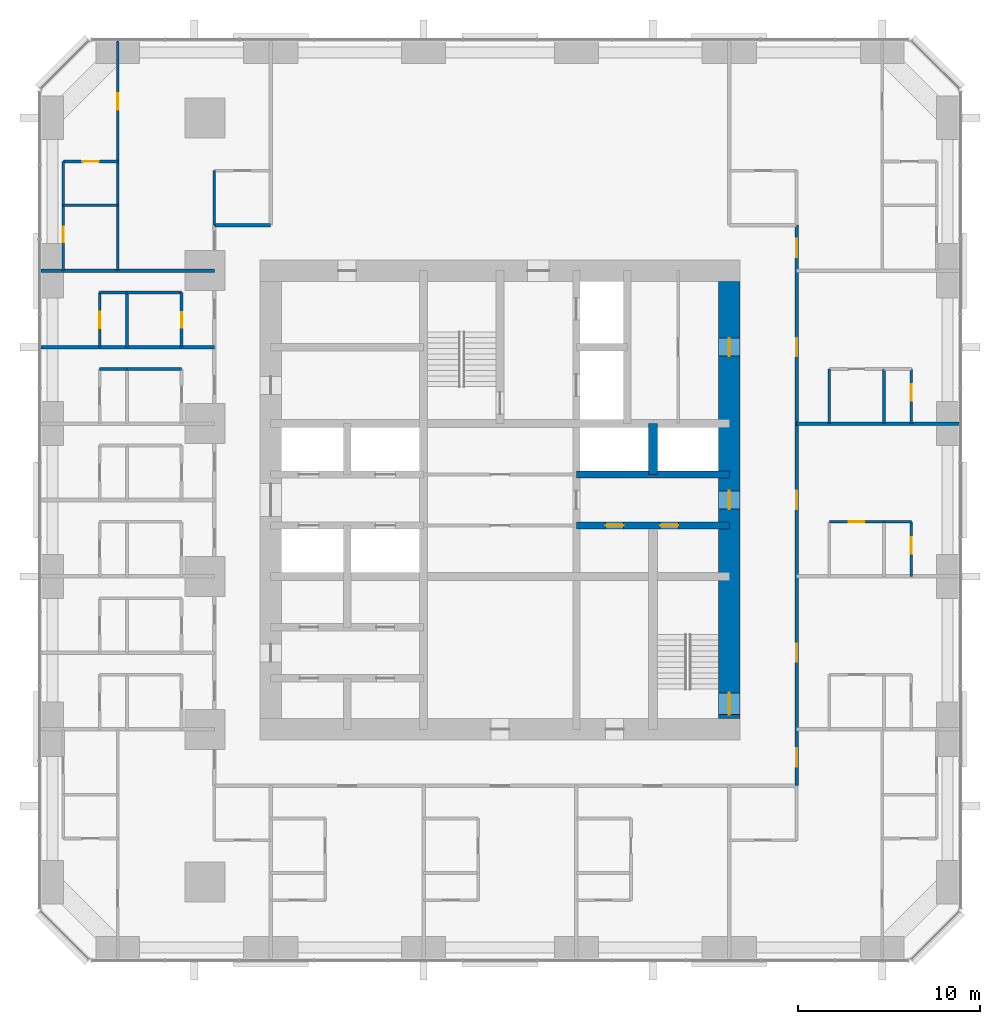
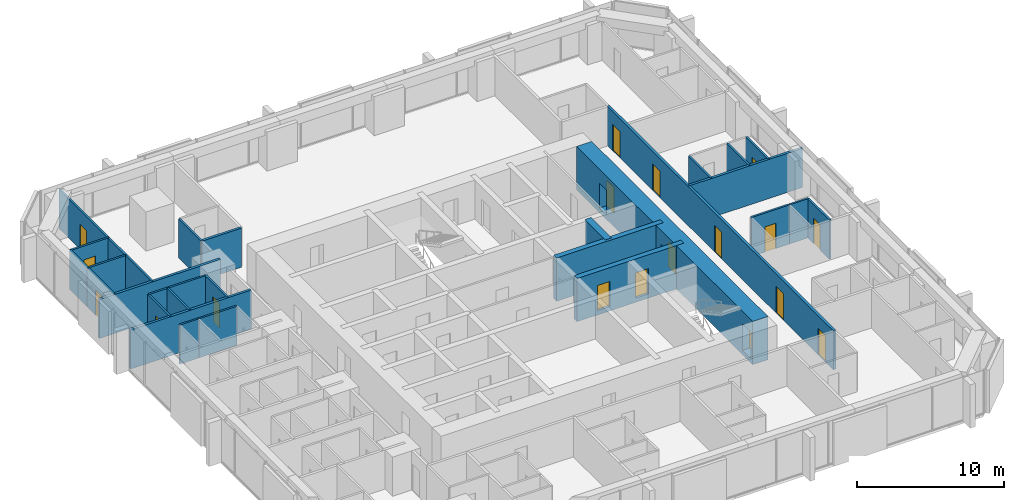
# One storey, part 11 of 13: 28 walls, 18 doors, 18 openings.
"""IFC4 building model written with IfcOpenShell, lengths in metres."""

from ifc_helpers import new_model, si_unit, direction, frame, frame_2d, origin, place, context, subcontext, project, spatial, rectangle, extrude, material, layer, layer_set, type_object, element, fill, save


model = new_model("IFC4")

# Units and contexts
model_context = context("Model", 3, precision=1e-05, world=origin(), true_north=direction((0.0, 1.0)))
body_context = subcontext(model_context, "Body", "Model", "MODEL_VIEW")
ifc_project = project(units=[si_unit("LENGTHUNIT", "METRE"), si_unit("AREAUNIT", "SQUARE_METRE"), si_unit("VOLUMEUNIT", "CUBIC_METRE"), si_unit("PLANEANGLEUNIT", "RADIAN"), si_unit("MASSUNIT", "GRAM", prefix="KILO")], contexts=[model_context])

# Site, building, storey
site_placement = place(None, origin())
site = spatial("IfcSite", under=ifc_project, at=site_placement, CompositionType="ELEMENT")
building_placement = place(site_placement, origin())
building = spatial("IfcBuilding", under=site, at=building_placement, Name="Dunama Terrace Hotel", CompositionType="ELEMENT")
storey_placement = place(building_placement, frame((0.0, 0.0, 162.60009765625)))
storey = spatial("IfcBuildingStorey", under=building, at=storey_placement, Name="L41", CompositionType="ELEMENT", Elevation=162.60009765625)

# Wall, opening, door
ifc_material_1 = material(Name="Gypsum board partition", Category="masonry")
ifc_layer_1 = layer(ifc_material_1, 0.14990234375)
ifc_layer_set_1 = layer_set([ifc_layer_1], Name="Bathroom partition 150")
wall_type_1 = type_object("IfcWallType", Name="Bathroom partition 150", PredefinedType="PARTITIONING", material=ifc_layer_set_1)
wall_1_placement = place(storey_placement, frame((5.39990234375, 42.0, 0.0), z_axis=(0.0, 0.0, 1.0), x_axis=(0.0, 1.0, 0.0)))
wall_1 = element("IfcWall", 1, at=wall_1_placement, inside=storey, type_object=wall_type_1, Name="Bathroom partition 150 L41", PredefinedType="PARTITIONING", context=body_context, shape_type="SweptSolid", body=[
    extrude(rectangle(XDim=3.60009765625, YDim=0.14990234375, at=frame_2d((1.800048828125, 0.0))), origin(), (0.0, 0.0, 1.0), 3.25),
])
opening_1_placement = place(wall_1_placement, frame((1.574951171875, 0.0, 0.0)))
opening_1 = element("IfcOpeningElement", 2, at=opening_1_placement, cuts=wall_1, Name="Opening L41-063", PredefinedType="OPENING", context=body_context, shape_type="SweptSolid", body=[
    extrude(rectangle(XDim=0.85009765625, YDim=2.10009765625, at=frame_2d((0.425048828125, 1.050048828125))), frame((0.0, 0.0849609375, 0.0), z_axis=(0.0, -1.0, 0.0), x_axis=(1.0, 0.0, 0.0)), (0.0, 0.0, 1.0), 0.169921875),
])
ifc_material_2 = material(Name="Timber door with steel frame", Category="steel")
door_type_1 = type_object("IfcDoorType", Name="Bathroom door 850", OperationType="SINGLE_SWING_LEFT", PredefinedType="DOOR", material=ifc_material_2)
door_1_placement = place(opening_1_placement, frame((0.85009765625, 0.0, 0.0), z_axis=(0.0, 0.0, 1.0), x_axis=(-1.0, 0.0, 0.0)))
door_1 = element("IfcDoor", 3, at=door_1_placement, inside=storey, type_object=door_type_1, Name="Door to en-suite bathroom L41-063, type D2", OperationType="SINGLE_SWING_RIGHT", OverallHeight=2.10009765625, OverallWidth=0.85009765625, PredefinedType="DOOR", context=body_context, shape_type="SweptSolid", body=[
    extrude(rectangle(XDim=0.85009765625, YDim=2.10009765625, at=frame_2d((0.425048828125, 1.050048828125))), frame((0.0, 0.025146484375, 0.0), z_axis=(0.0, -1.0, 0.0), x_axis=(1.0, 0.0, 0.0)), (0.0, 0.0, 1.0), 0.050048828125),
])
fill(opening_1, door_1)

wall_2_placement = place(storey_placement, frame((11.89990234375, 37.800048828125, 0.0), z_axis=(0.0, 0.0, 1.0), x_axis=(0.0, 1.0, 0.0)))
wall_2 = element("IfcWall", 4, at=wall_2_placement, inside=storey, type_object=wall_type_1, Name="Bathroom partition 150 L41", PredefinedType="PARTITIONING", context=body_context, shape_type="SweptSolid", body=[
    extrude(rectangle(XDim=3.0, YDim=0.14990234375, at=frame_2d((1.5, 0.0))), origin(), (0.0, 0.0, 1.0), 3.25),
])
opening_2_placement = place(wall_2_placement, frame((1.074951171875, 0.0, 0.0)))
opening_2 = element("IfcOpeningElement", 5, at=opening_2_placement, cuts=wall_2, Name="Opening L41-043", PredefinedType="OPENING", context=body_context, shape_type="SweptSolid", body=[
    extrude(rectangle(XDim=0.85009765625, YDim=2.10009765625, at=frame_2d((0.425048828125, 1.050048828125))), frame((0.0, 0.0849609375, 0.0), z_axis=(0.0, -1.0, 0.0), x_axis=(1.0, 0.0, 0.0)), (0.0, 0.0, 1.0), 0.169921875),
])
door_2_placement = place(opening_2_placement, origin())
door_2 = element("IfcDoor", 6, at=door_2_placement, inside=storey, type_object=door_type_1, Name="Door to en-suite bathroom L41-043, type D2", OperationType="SINGLE_SWING_LEFT", OverallHeight=2.10009765625, OverallWidth=0.85009765625, PredefinedType="DOOR", context=body_context, shape_type="SweptSolid", body=[
    extrude(rectangle(XDim=0.85009765625, YDim=2.10009765625, at=frame_2d((0.425048828125, 1.050048828125))), frame((0.0, 0.02490234375, 0.0), z_axis=(0.0, -1.0, 0.0), x_axis=(1.0, 0.0, 0.0)), (0.0, 0.0, 1.0), 0.050048828125),
])
fill(opening_2, door_2)

# Walls
for number, where, z_axis, x_axis, name in (
    (7, (13.699951171875, 44.5, 0.0), (0.0, 0.0, 1.0), (0.0, 1.0, 0.0), "Bathroom partition 150 L41"),
    (8, (47.5, 33.60009765625, 0.0), (0.0, 0.0, 1.0), (0.0, 1.0, 0.0), "Bathroom partition 150 L41"),
):
    element("IfcWall", number, at=place(storey_placement, frame(where, z_axis=z_axis, x_axis=x_axis)), inside=storey, type_object=wall_type_1, Name=name, PredefinedType="PARTITIONING", context=body_context, shape_type="SweptSolid", body=[
        extrude(rectangle(XDim=3.0, YDim=0.14990234375, at=frame_2d((1.5, 0.0))), origin(), (0.0, 0.0, 1.0), 3.25),
    ])

# Wall, opening, door
wall_3_placement = place(storey_placement, frame((47.5, 28.199951171875, 0.0), z_axis=(0.0, 0.0, 1.0), x_axis=(1.0, 0.0, 0.0)))
wall_3 = element("IfcWall", 9, at=wall_3_placement, inside=storey, type_object=wall_type_1, Name="Bathroom partition 150 L41", PredefinedType="PARTITIONING", context=body_context, shape_type="SweptSolid", body=[
    extrude(rectangle(XDim=3.0, YDim=0.14990234375, at=frame_2d((1.5, 0.0))), origin(), (0.0, 0.0, 1.0), 3.25),
])
opening_3_placement = place(wall_3_placement, frame((1.074951171875, 0.0, 0.0)))
opening_3 = element("IfcOpeningElement", 10, at=opening_3_placement, cuts=wall_3, Name="Opening L41-022", PredefinedType="OPENING", context=body_context, shape_type="SweptSolid", body=[
    extrude(rectangle(XDim=0.85009765625, YDim=2.10009765625, at=frame_2d((0.425048828125, 1.050048828125))), frame((0.0, 0.0849609375, 0.0), z_axis=(0.0, -1.0, 0.0), x_axis=(1.0, 0.0, 0.0)), (0.0, 0.0, 1.0), 0.169921875),
])
door_3_placement = place(opening_3_placement, frame((0.85009765625, 0.0, 0.0), z_axis=(0.0, 0.0, 1.0), x_axis=(-1.0, 0.0, 0.0)))
door_3 = element("IfcDoor", 11, at=door_3_placement, inside=storey, type_object=door_type_1, Name="Door to en-suite bathroom L41-022, type D2", OperationType="SINGLE_SWING_LEFT", OverallHeight=2.10009765625, OverallWidth=0.85009765625, PredefinedType="DOOR", context=body_context, shape_type="SweptSolid", body=[
    extrude(rectangle(XDim=0.85009765625, YDim=2.10009765625, at=frame_2d((0.425048828125, 1.050048828125))), frame((0.0, 0.025146484375, 0.0), z_axis=(0.0, -1.0, 0.0), x_axis=(1.0, 0.0, 0.0)), (0.0, 0.0, 1.0), 0.050048828125),
])
fill(opening_3, door_3)

# Walls
for number, where, z_axis, x_axis, name in (
    (12, (8.89990234375, 36.60009765625, 0.0), (0.0, 0.0, 1.0), (1.0, 0.0, 0.0), "Bathroom partition 150 L41"),
    (13, (8.89990234375, 40.800048828125, 0.0), (0.0, 0.0, 1.0), (1.0, 0.0, 0.0), "Bathroom partition 150 L41"),
):
    element("IfcWall", number, at=place(storey_placement, frame(where, z_axis=z_axis, x_axis=x_axis)), inside=storey, type_object=wall_type_1, Name=name, PredefinedType="PARTITIONING", context=body_context, shape_type="SweptSolid", body=[
        extrude(rectangle(XDim=3.0, YDim=0.14990234375, at=frame_2d((1.5, 0.0))), origin(), (0.0, 0.0, 1.0), 3.25),
    ])

# Wall, openings, doors
ifc_material_3 = material(Name="Concrete C50/60", Category="concrete")
ifc_layer_2 = layer(ifc_material_3, 0.39990234375)
ifc_layer_set_2 = layer_set([ifc_layer_2], Name="Core inner wall 400")
wall_type_2 = type_object("IfcWallType", Name="Core inner wall 400", PredefinedType="SHEAR", material=ifc_layer_set_2)
wall_4_placement = place(storey_placement, frame((33.60009765625, 28.0, -0.35009765625), z_axis=(0.0, 0.0, 1.0), x_axis=(1.0, 0.0, 0.0)))
wall_4 = element("IfcWall", 14, at=wall_4_placement, inside=storey, type_object=wall_type_2, Name="Core inner wall 400 L41", PredefinedType="SHEAR", context=body_context, shape_type="SweptSolid", body=[
    extrude(rectangle(XDim=8.39990234375, YDim=0.39990234375, at=frame_2d((4.199951171875, 0.0))), origin(), (0.0, 0.0, 1.0), 3.60009765625),
])
opening_4_placement = place(wall_4_placement, frame((1.60009765625, 0.0, 0.35009765625)))
opening_4 = element("IfcOpeningElement", 15, at=opening_4_placement, cuts=wall_4, Name="Opening L41-076", PredefinedType="OPENING", context=body_context, shape_type="SweptSolid", body=[
    extrude(rectangle(XDim=1.0, YDim=2.10009765625, at=frame_2d((0.5, 1.050048828125))), frame((0.0, 0.2099609375, 0.0), z_axis=(0.0, -1.0, 0.0), x_axis=(1.0, 0.0, 0.0)), (0.0, 0.0, 1.0), 0.419921875),
])
opening_5_placement = place(wall_4_placement, frame((4.60009765625, 0.0, 0.35009765625)))
opening_5 = element("IfcOpeningElement", 16, at=opening_5_placement, cuts=wall_4, Name="Opening L41-077", PredefinedType="OPENING", context=body_context, shape_type="SweptSolid", body=[
    extrude(rectangle(XDim=1.0, YDim=2.10009765625, at=frame_2d((0.5, 1.050048828125))), frame((0.0, 0.2099609375, 0.0), z_axis=(0.0, -1.0, 0.0), x_axis=(1.0, 0.0, 0.0)), (0.0, 0.0, 1.0), 0.419921875),
])
ifc_material_4 = material(Name="Timber door with steel frame", Category="steel")
door_type_2 = type_object("IfcDoorType", Name="Service door 1000", OperationType="SINGLE_SWING_LEFT", PredefinedType="DOOR", material=ifc_material_4)
door_4_placement = place(opening_4_placement, frame((1.0, 0.0, 0.0), z_axis=(0.0, 0.0, 1.0), x_axis=(-1.0, 0.0, 0.0)))
door_4 = element("IfcDoor", 17, at=door_4_placement, inside=storey, type_object=door_type_2, Name="Door to service riser L41-076, type D7", OperationType="SINGLE_SWING_LEFT", OverallHeight=2.10009765625, OverallWidth=1.0, PredefinedType="DOOR", context=body_context, shape_type="SweptSolid", body=[
    extrude(rectangle(XDim=1.0, YDim=2.10009765625, at=frame_2d((0.5, 1.050048828125))), frame((0.0, 0.025146484375, 0.0), z_axis=(0.0, -1.0, 0.0), x_axis=(1.0, 0.0, 0.0)), (0.0, 0.0, 1.0), 0.050048828125),
])
fill(opening_4, door_4)
door_5_placement = place(opening_5_placement, frame((1.0, 0.0, 0.0), z_axis=(0.0, 0.0, 1.0), x_axis=(-1.0, 0.0, 0.0)))
door_5 = element("IfcDoor", 18, at=door_5_placement, inside=storey, type_object=door_type_2, Name="Door to it room L41-077, type D7", OperationType="SINGLE_SWING_RIGHT", OverallHeight=2.10009765625, OverallWidth=1.0, PredefinedType="DOOR", context=body_context, shape_type="SweptSolid", body=[
    extrude(rectangle(XDim=1.0, YDim=2.10009765625, at=frame_2d((0.5, 1.050048828125))), frame((0.0, 0.025146484375, 0.0), z_axis=(0.0, -1.0, 0.0), x_axis=(1.0, 0.0, 0.0)), (0.0, 0.0, 1.0), 0.050048828125),
])
fill(opening_5, door_5)

# Walls
wall_5_placement = place(storey_placement, frame((33.60009765625, 30.800048828125, -0.35009765625), z_axis=(0.0, 0.0, 1.0), x_axis=(1.0, 0.0, 0.0)))
element("IfcWall", 19, at=wall_5_placement, inside=storey, type_object=wall_type_2, Name="Core inner wall 400 L41", PredefinedType="SHEAR", context=body_context, shape_type="SweptSolid", body=[
    extrude(rectangle(XDim=8.39990234375, YDim=0.39990234375, at=frame_2d((4.199951171875, 0.0))), origin(), (0.0, 0.0, 1.0), 3.60009765625),
])
ifc_material_5 = material(Name="Concrete C50/60", Category="concrete")
ifc_layer_3 = layer(ifc_material_5, 0.5)
ifc_layer_set_3 = layer_set([ifc_layer_3], Name="Core inner wall 500")
wall_type_3 = type_object("IfcWallType", Name="Core inner wall 500", PredefinedType="SHEAR", material=ifc_layer_set_3)
wall_6_placement = place(storey_placement, frame((37.800048828125, 30.800048828125, -0.35009765625), z_axis=(0.0, 0.0, 1.0), x_axis=(0.0, 1.0, 0.0)))
element("IfcWall", 20, at=wall_6_placement, inside=storey, type_object=wall_type_3, Name="Core inner wall 500 L41", PredefinedType="SHEAR", context=body_context, shape_type="SweptSolid", body=[
    extrude(rectangle(XDim=2.800048828125, YDim=0.5, at=frame_2d((1.39990234375, 0.0))), origin(), (0.0, 0.0, 1.0), 3.60009765625),
])

# Wall, openings, doors
ifc_material_6 = material(Name="Concrete C60/75", Category="concrete")
ifc_layer_4 = layer(ifc_material_6, 1.199951171875)
ifc_layer_set_4 = layer_set([ifc_layer_4], Name="Core wall 1200")
wall_type_4 = type_object("IfcWallType", Name="Core wall 1200", PredefinedType="SHEAR", material=ifc_layer_set_4)
wall_7_placement = place(storey_placement, frame((42.0, 17.39990234375, -0.35009765625), z_axis=(0.0, 0.0, 1.0), x_axis=(0.0, 1.0, 0.0)))
wall_7 = element("IfcWall", 21, at=wall_7_placement, inside=storey, type_object=wall_type_4, Name="Core wall east L41", PredefinedType="SHEAR", context=body_context, shape_type="SweptSolid", body=[
    extrude(rectangle(XDim=24.0, YDim=1.199951171875, at=frame_2d((12.0, 0.0))), origin(), (0.0, 0.0, 1.0), 3.60009765625),
])
opening_6_placement = place(wall_7_placement, frame((0.199951171875, 0.0, 0.35009765625)))
opening_6 = element("IfcOpeningElement", 22, at=opening_6_placement, cuts=wall_7, Name="Opening L41-002", PredefinedType="OPENING", context=body_context, shape_type="SweptSolid", body=[
    extrude(rectangle(XDim=1.199951171875, YDim=2.199951171875, at=frame_2d((0.60009765625, 1.10009765625))), frame((0.0, 0.60986328125, 0.0), z_axis=(0.0, -1.0, 0.0), x_axis=(1.0, 0.0, 0.0)), (0.0, 0.0, 1.0), 1.219970703125),
])
opening_7_placement = place(wall_7_placement, frame((11.5, 0.0, 0.35009765625)))
opening_7 = element("IfcOpeningElement", 23, at=opening_7_placement, cuts=wall_7, Name="Opening L41-078", PredefinedType="OPENING", context=body_context, shape_type="SweptSolid", body=[
    extrude(rectangle(XDim=1.0, YDim=2.10009765625, at=frame_2d((0.5, 1.050048828125))), frame((0.0, 0.60986328125, 0.0), z_axis=(0.0, -1.0, 0.0), x_axis=(1.0, 0.0, 0.0)), (0.0, 0.0, 1.0), 1.219970703125),
])
opening_8_placement = place(wall_7_placement, frame((19.89990234375, 0.0, 0.35009765625)))
opening_8 = element("IfcOpeningElement", 24, at=opening_8_placement, cuts=wall_7, Name="Opening L41-080", PredefinedType="OPENING", context=body_context, shape_type="SweptSolid", body=[
    extrude(rectangle(XDim=1.0, YDim=2.10009765625, at=frame_2d((0.5, 1.050048828125))), frame((0.0, 0.60986328125, 0.0), z_axis=(0.0, -1.0, 0.0), x_axis=(1.0, 0.0, 0.0)), (0.0, 0.0, 1.0), 1.219970703125),
])
door_6_placement = place(opening_7_placement, origin())
door_6 = element("IfcDoor", 25, at=door_6_placement, inside=storey, type_object=door_type_2, Name="Door to service lobby L41-078, type D7", OperationType="SINGLE_SWING_LEFT", OverallHeight=2.10009765625, OverallWidth=1.0, PredefinedType="DOOR", context=body_context, shape_type="SweptSolid", body=[
    extrude(rectangle(XDim=1.0, YDim=2.10009765625, at=frame_2d((0.5, 1.050048828125))), frame((0.0, 0.02490234375, 0.0), z_axis=(0.0, -1.0, 0.0), x_axis=(1.0, 0.0, 0.0)), (0.0, 0.0, 1.0), 0.050048828125),
])
fill(opening_7, door_6)
door_7_placement = place(opening_8_placement, origin())
door_7 = element("IfcDoor", 26, at=door_7_placement, inside=storey, type_object=door_type_2, Name="Door to guest pantry L41-080, type D7", OperationType="SINGLE_SWING_LEFT", OverallHeight=2.10009765625, OverallWidth=1.0, PredefinedType="DOOR", context=body_context, shape_type="SweptSolid", body=[
    extrude(rectangle(XDim=1.0, YDim=2.10009765625, at=frame_2d((0.5, 1.050048828125))), frame((0.0, 0.02490234375, 0.0), z_axis=(0.0, -1.0, 0.0), x_axis=(1.0, 0.0, 0.0)), (0.0, 0.0, 1.0), 0.050048828125),
])
fill(opening_8, door_7)
ifc_material_7 = material(Name="Timber door with steel frame", Category="steel")
door_type_3 = type_object("IfcDoorType", Name="Stair door 1200", OperationType="SINGLE_SWING_LEFT", PredefinedType="DOOR", material=ifc_material_7)
door_8_placement = place(opening_6_placement, origin())
door_8 = element("IfcDoor", 27, at=door_8_placement, inside=storey, type_object=door_type_3, Name="Stair door ST2 L41-002, type D5", OperationType="SINGLE_SWING_LEFT", OverallHeight=2.199951171875, OverallWidth=1.199951171875, PredefinedType="DOOR", context=body_context, shape_type="SweptSolid", body=[
    extrude(rectangle(XDim=1.199951171875, YDim=2.199951171875, at=frame_2d((0.60009765625, 1.10009765625))), frame((0.0, 0.02490234375, 0.0), z_axis=(0.0, -1.0, 0.0), x_axis=(1.0, 0.0, 0.0)), (0.0, 0.0, 1.0), 0.050048828125),
])
fill(opening_6, door_8)

# Wall
ifc_material_8 = material(Name="Concrete blockwork", Category="masonry")
ifc_layer_5 = layer(ifc_material_8, 0.199951171875)
ifc_layer_set_5 = layer_set([ifc_layer_5], Name="Corridor partition 200")
wall_type_5 = type_object("IfcWallType", Name="Corridor partition 200", PredefinedType="PARTITIONING", material=ifc_layer_set_5)
wall_8_placement = place(storey_placement, frame((13.699951171875, 44.5, 0.0), z_axis=(0.0, 0.0, 1.0), x_axis=(1.0, 0.0, 0.0)))
element("IfcWall", 28, at=wall_8_placement, inside=storey, type_object=wall_type_5, Name="Corridor partition 200 L41", PredefinedType="PARTITIONING", context=body_context, shape_type="SweptSolid", body=[
    extrude(rectangle(XDim=3.10009765625, YDim=0.199951171875, at=frame_2d((1.550048828125, 0.0))), origin(), (0.0, 0.0, 1.0), 3.25),
])

# Wall, openings, doors
wall_9_placement = place(storey_placement, frame((45.699951171875, 44.5, 0.0), z_axis=(0.0, 0.0, 1.0), x_axis=(0.0, -1.0, 0.0)))
wall_9 = element("IfcWall", 29, at=wall_9_placement, inside=storey, type_object=wall_type_5, Name="Corridor partition 200 L41", PredefinedType="PARTITIONING", context=body_context, shape_type="SweptSolid", body=[
    extrude(rectangle(XDim=30.800048828125, YDim=0.199951171875, at=frame_2d((15.39990234375, 0.0))), origin(), (0.0, 0.0, 1.0), 3.25),
])
opening_9_placement = place(wall_9_placement, frame((23.0, 0.0, 0.0)))
opening_9 = element("IfcOpeningElement", 30, at=opening_9_placement, cuts=wall_9, Name="Opening L41-018", PredefinedType="OPENING", context=body_context, shape_type="SweptSolid", body=[
    extrude(rectangle(XDim=1.0, YDim=2.199951171875, at=frame_2d((0.5, 1.10009765625))), frame((0.0, 0.10986328125, 0.0), z_axis=(0.0, -1.0, 0.0), x_axis=(1.0, 0.0, 0.0)), (0.0, 0.0, 1.0), 0.219970703125),
])
opening_10_placement = place(wall_9_placement, frame((14.60009765625, 0.0, 0.0)))
opening_10 = element("IfcOpeningElement", 31, at=opening_10_placement, cuts=wall_9, Name="Opening L41-021", PredefinedType="OPENING", context=body_context, shape_type="SweptSolid", body=[
    extrude(rectangle(XDim=1.0, YDim=2.199951171875, at=frame_2d((0.5, 1.10009765625))), frame((0.0, 0.10986328125, 0.0), z_axis=(0.0, -1.0, 0.0), x_axis=(1.0, 0.0, 0.0)), (0.0, 0.0, 1.0), 0.219970703125),
])
opening_11_placement = place(wall_9_placement, frame((6.199951171875, 0.0, 0.0)))
opening_11 = element("IfcOpeningElement", 32, at=opening_11_placement, cuts=wall_9, Name="Opening L41-024", PredefinedType="OPENING", context=body_context, shape_type="SweptSolid", body=[
    extrude(rectangle(XDim=1.0, YDim=2.199951171875, at=frame_2d((0.5, 1.10009765625))), frame((0.0, 0.10986328125, 0.0), z_axis=(0.0, -1.0, 0.0), x_axis=(1.0, 0.0, 0.0)), (0.0, 0.0, 1.0), 0.219970703125),
])
opening_12_placement = place(wall_9_placement, frame((28.75, 0.0, 0.0)))
opening_12 = element("IfcOpeningElement", 33, at=opening_12_placement, cuts=wall_9, Name="Opening L41-050", PredefinedType="OPENING", context=body_context, shape_type="SweptSolid", body=[
    extrude(rectangle(XDim=1.0, YDim=2.199951171875, at=frame_2d((0.5, 1.10009765625))), frame((0.0, 0.10986328125, 0.0), z_axis=(0.0, -1.0, 0.0), x_axis=(1.0, 0.0, 0.0)), (0.0, 0.0, 1.0), 0.219970703125),
])
opening_13_placement = place(wall_9_placement, frame((0.75, 0.0, 0.0)))
opening_13 = element("IfcOpeningElement", 34, at=opening_13_placement, cuts=wall_9, Name="Opening L41-055", PredefinedType="OPENING", context=body_context, shape_type="SweptSolid", body=[
    extrude(rectangle(XDim=1.0, YDim=2.199951171875, at=frame_2d((0.5, 1.10009765625))), frame((0.0, 0.10986328125, 0.0), z_axis=(0.0, -1.0, 0.0), x_axis=(1.0, 0.0, 0.0)), (0.0, 0.0, 1.0), 0.219970703125),
])
ifc_material_9 = material(Name="Timber door with steel frame", Category="steel")
door_type_4 = type_object("IfcDoorType", Name="Guest room door 1000", OperationType="SINGLE_SWING_LEFT", PredefinedType="DOOR", material=ifc_material_9)
door_9_placement = place(opening_9_placement, origin())
door_9 = element("IfcDoor", 35, at=door_9_placement, inside=storey, type_object=door_type_4, Name="Door to junior suite L41-018, type D1", OperationType="SINGLE_SWING_RIGHT", OverallHeight=2.199951171875, OverallWidth=1.0, PredefinedType="DOOR", context=body_context, shape_type="SweptSolid", body=[
    extrude(rectangle(XDim=1.0, YDim=2.199951171875, at=frame_2d((0.5, 1.10009765625))), frame((0.0, 0.02490234375, 0.0), z_axis=(0.0, -1.0, 0.0), x_axis=(1.0, 0.0, 0.0)), (0.0, 0.0, 1.0), 0.050048828125),
])
fill(opening_9, door_9)
door_10_placement = place(opening_10_placement, origin())
door_10 = element("IfcDoor", 36, at=door_10_placement, inside=storey, type_object=door_type_4, Name="Door to junior suite L41-021, type D1", OperationType="SINGLE_SWING_RIGHT", OverallHeight=2.199951171875, OverallWidth=1.0, PredefinedType="DOOR", context=body_context, shape_type="SweptSolid", body=[
    extrude(rectangle(XDim=1.0, YDim=2.199951171875, at=frame_2d((0.5, 1.10009765625))), frame((0.0, 0.02490234375, 0.0), z_axis=(0.0, -1.0, 0.0), x_axis=(1.0, 0.0, 0.0)), (0.0, 0.0, 1.0), 0.050048828125),
])
fill(opening_10, door_10)
door_11_placement = place(opening_11_placement, origin())
door_11 = element("IfcDoor", 37, at=door_11_placement, inside=storey, type_object=door_type_4, Name="Door to junior suite L41-024, type D1", OperationType="SINGLE_SWING_RIGHT", OverallHeight=2.199951171875, OverallWidth=1.0, PredefinedType="DOOR", context=body_context, shape_type="SweptSolid", body=[
    extrude(rectangle(XDim=1.0, YDim=2.199951171875, at=frame_2d((0.5, 1.10009765625))), frame((0.0, 0.02490234375, 0.0), z_axis=(0.0, -1.0, 0.0), x_axis=(1.0, 0.0, 0.0)), (0.0, 0.0, 1.0), 0.050048828125),
])
fill(opening_11, door_11)
door_12_placement = place(opening_12_placement, origin())
door_12 = element("IfcDoor", 38, at=door_12_placement, inside=storey, type_object=door_type_4, Name="Door to corner suite living room L41-050, type D1", OperationType="SINGLE_SWING_LEFT", OverallHeight=2.199951171875, OverallWidth=1.0, PredefinedType="DOOR", context=body_context, shape_type="SweptSolid", body=[
    extrude(rectangle(XDim=1.0, YDim=2.199951171875, at=frame_2d((0.5, 1.10009765625))), frame((0.0, 0.02490234375, 0.0), z_axis=(0.0, -1.0, 0.0), x_axis=(1.0, 0.0, 0.0)), (0.0, 0.0, 1.0), 0.050048828125),
])
fill(opening_12, door_12)
door_13_placement = place(opening_13_placement, origin())
door_13 = element("IfcDoor", 39, at=door_13_placement, inside=storey, type_object=door_type_4, Name="Door to corner suite living room L41-055, type D1", OperationType="SINGLE_SWING_LEFT", OverallHeight=2.199951171875, OverallWidth=1.0, PredefinedType="DOOR", context=body_context, shape_type="SweptSolid", body=[
    extrude(rectangle(XDim=1.0, YDim=2.199951171875, at=frame_2d((0.5, 1.10009765625))), frame((0.0, 0.02490234375, 0.0), z_axis=(0.0, -1.0, 0.0), x_axis=(1.0, 0.0, 0.0)), (0.0, 0.0, 1.0), 0.050048828125),
])
fill(opening_13, door_13)

# Walls
ifc_material_10 = material(Name="Concrete blockwork", Category="masonry")
ifc_layer_6 = layer(ifc_material_10, 0.199951171875)
ifc_layer_set_6 = layer_set([ifc_layer_6], Name="Party wall 200")
wall_type_6 = type_object("IfcWallType", Name="Party wall 200", PredefinedType="PARTITIONING", material=ifc_layer_set_6)
wall_10_placement = place(storey_placement, frame((45.699951171875, 33.60009765625, 0.0), z_axis=(0.0, 0.0, 1.0), x_axis=(1.0, 0.0, 0.0)))
element("IfcWall", 40, at=wall_10_placement, inside=storey, type_object=wall_type_6, Name="Party wall 200 L41", PredefinedType="PARTITIONING", context=body_context, shape_type="SweptSolid", body=[
    extrude(rectangle(XDim=8.91796875, YDim=0.199951171875, at=frame_2d((4.458984375, 0.0))), origin(), (0.0, 0.0, 1.0), 3.25),
])
for number, where, z_axis, x_axis, name in (
    (41, (4.181884765625, 37.800048828125, 0.0), (0.0, 0.0, 1.0), (1.0, 0.0, 0.0), "Party wall 200 L41"),
    (42, (4.181884765625, 42.0, 0.0), (0.0, 0.0, 1.0), (1.0, 0.0, 0.0), "Party wall 200 L41"),
):
    element("IfcWall", number, at=place(storey_placement, frame(where, z_axis=z_axis, x_axis=x_axis)), inside=storey, type_object=wall_type_6, Name=name, PredefinedType="PARTITIONING", context=body_context, shape_type="SweptSolid", body=[
        extrude(rectangle(XDim=9.51806640625, YDim=0.199951171875, at=frame_2d((4.759033203125, 0.0))), origin(), (0.0, 0.0, 1.0), 3.25),
    ])
ifc_material_11 = material(Name="Gypsum board partition", Category="masonry")
ifc_layer_7 = layer(ifc_material_11, 0.14990234375)
ifc_layer_set_7 = layer_set([ifc_layer_7], Name="Room partition 150")
wall_type_7 = type_object("IfcWallType", Name="Room partition 150", PredefinedType="PARTITIONING", material=ifc_layer_set_7)
wall_11_placement = place(storey_placement, frame((5.39990234375, 45.60009765625, 0.0), z_axis=(0.0, 0.0, 1.0), x_axis=(0.0, 1.0, 0.0)))
element("IfcWall", 43, at=wall_11_placement, inside=storey, type_object=wall_type_7, Name="Room partition 150 L41", PredefinedType="PARTITIONING", context=body_context, shape_type="SweptSolid", body=[
    extrude(rectangle(XDim=2.39990234375, YDim=0.14990234375, at=frame_2d((1.199951171875, 0.0))), origin(), (0.0, 0.0, 1.0), 3.25),
])

# Wall, opening, door
wall_12_placement = place(storey_placement, frame((7.39990234375, 37.800048828125, 0.0), z_axis=(0.0, 0.0, 1.0), x_axis=(0.0, 1.0, 0.0)))
wall_12 = element("IfcWall", 44, at=wall_12_placement, inside=storey, type_object=wall_type_7, Name="Room partition 150 L41", PredefinedType="PARTITIONING", context=body_context, shape_type="SweptSolid", body=[
    extrude(rectangle(XDim=3.0, YDim=0.14990234375, at=frame_2d((1.5, 0.0))), origin(), (0.0, 0.0, 1.0), 3.25),
])
opening_14_placement = place(wall_12_placement, frame((1.050048828125, 0.0, 0.0)))
opening_14 = element("IfcOpeningElement", 45, at=opening_14_placement, cuts=wall_12, Name="Opening L41-044", PredefinedType="OPENING", context=body_context, shape_type="SweptSolid", body=[
    extrude(rectangle(XDim=0.89990234375, YDim=2.10009765625, at=frame_2d((0.449951171875, 1.050048828125))), frame((0.0, 0.0849609375, 0.0), z_axis=(0.0, -1.0, 0.0), x_axis=(1.0, 0.0, 0.0)), (0.0, 0.0, 1.0), 0.169921875),
])
ifc_material_12 = material(Name="Timber door with steel frame", Category="steel")
door_type_5 = type_object("IfcDoorType", Name="Suite internal door 900", OperationType="SINGLE_SWING_LEFT", PredefinedType="DOOR", material=ifc_material_12)
door_14_placement = place(opening_14_placement, frame((0.89990234375, 0.0, 0.0), z_axis=(0.0, 0.0, 1.0), x_axis=(-1.0, 0.0, 0.0)))
door_14 = element("IfcDoor", 46, at=door_14_placement, inside=storey, type_object=door_type_5, Name="Door to walk-in wardrobe L41-044, type D16", OperationType="SINGLE_SWING_RIGHT", OverallHeight=2.10009765625, OverallWidth=0.89990234375, PredefinedType="DOOR", context=body_context, shape_type="SweptSolid", body=[
    extrude(rectangle(XDim=0.89990234375, YDim=2.10009765625, at=frame_2d((0.449951171875, 1.050048828125))), frame((0.0, 0.025146484375, 0.0), z_axis=(0.0, -1.0, 0.0), x_axis=(1.0, 0.0, 0.0)), (0.0, 0.0, 1.0), 0.050048828125),
])
fill(opening_14, door_14)

wall_13_placement = place(storey_placement, frame((8.39990234375, 42.0, 0.0), z_axis=(0.0, 0.0, 1.0), x_axis=(0.0, 1.0, 0.0)))
wall_13 = element("IfcWall", 47, at=wall_13_placement, inside=storey, type_object=wall_type_7, Name="Room partition 150 L41", PredefinedType="PARTITIONING", context=body_context, shape_type="SweptSolid", body=[
    extrude(rectangle(XDim=12.617919921875, YDim=0.14990234375, at=frame_2d((6.30908203125, 0.0))), origin(), (0.0, 0.0, 1.0), 3.25),
])
opening_15_placement = place(wall_13_placement, frame((8.85009765625, 0.0, 0.0)))
opening_15 = element("IfcOpeningElement", 48, at=opening_15_placement, cuts=wall_13, Name="Opening L41-062", PredefinedType="OPENING", context=body_context, shape_type="SweptSolid", body=[
    extrude(rectangle(XDim=0.89990234375, YDim=2.10009765625, at=frame_2d((0.449951171875, 1.050048828125))), frame((0.0, 0.0849609375, 0.0), z_axis=(0.0, -1.0, 0.0), x_axis=(1.0, 0.0, 0.0)), (0.0, 0.0, 1.0), 0.169921875),
])
door_15_placement = place(opening_15_placement, origin())
door_15 = element("IfcDoor", 49, at=door_15_placement, inside=storey, type_object=door_type_5, Name="Door to corner suite bedroom L41-062, type D16", OperationType="SINGLE_SWING_RIGHT", OverallHeight=2.10009765625, OverallWidth=0.89990234375, PredefinedType="DOOR", context=body_context, shape_type="SweptSolid", body=[
    extrude(rectangle(XDim=0.89990234375, YDim=2.10009765625, at=frame_2d((0.449951171875, 1.050048828125))), frame((0.0, 0.02490234375, 0.0), z_axis=(0.0, -1.0, 0.0), x_axis=(1.0, 0.0, 0.0)), (0.0, 0.0, 1.0), 0.050048828125),
])
fill(opening_15, door_15)

# Walls
for number, where, z_axis, x_axis, name in (
    (50, (8.89990234375, 37.800048828125, 0.0), (0.0, 0.0, 1.0), (0.0, 1.0, 0.0), "Room partition 150 L41"),
    (51, (50.5, 33.60009765625, 0.0), (0.0, 0.0, 1.0), (0.0, 1.0, 0.0), "Room partition 150 L41"),
):
    element("IfcWall", number, at=place(storey_placement, frame(where, z_axis=z_axis, x_axis=x_axis)), inside=storey, type_object=wall_type_7, Name=name, PredefinedType="PARTITIONING", context=body_context, shape_type="SweptSolid", body=[
        extrude(rectangle(XDim=3.0, YDim=0.14990234375, at=frame_2d((1.5, 0.0))), origin(), (0.0, 0.0, 1.0), 3.25),
    ])

# Wall, opening, door
wall_14_placement = place(storey_placement, frame((52.0, 25.199951171875, 0.0), z_axis=(0.0, 0.0, 1.0), x_axis=(0.0, 1.0, 0.0)))
wall_14 = element("IfcWall", 52, at=wall_14_placement, inside=storey, type_object=wall_type_7, Name="Room partition 150 L41", PredefinedType="PARTITIONING", context=body_context, shape_type="SweptSolid", body=[
    extrude(rectangle(XDim=3.0, YDim=0.14990234375, at=frame_2d((1.5, 0.0))), origin(), (0.0, 0.0, 1.0), 3.25),
])
opening_16_placement = place(wall_14_placement, frame((1.25, 0.0, 0.0)))
opening_16 = element("IfcOpeningElement", 53, at=opening_16_placement, cuts=wall_14, Name="Opening L41-023", PredefinedType="OPENING", context=body_context, shape_type="SweptSolid", body=[
    extrude(rectangle(XDim=0.89990234375, YDim=2.10009765625, at=frame_2d((0.449951171875, 1.050048828125))), frame((0.0, 0.0849609375, 0.0), z_axis=(0.0, -1.0, 0.0), x_axis=(1.0, 0.0, 0.0)), (0.0, 0.0, 1.0), 0.169921875),
])
door_16_placement = place(opening_16_placement, origin())
door_16 = element("IfcDoor", 54, at=door_16_placement, inside=storey, type_object=door_type_5, Name="Door to walk-in wardrobe L41-023, type D16", OperationType="SINGLE_SWING_LEFT", OverallHeight=2.10009765625, OverallWidth=0.89990234375, PredefinedType="DOOR", context=body_context, shape_type="SweptSolid", body=[
    extrude(rectangle(XDim=0.89990234375, YDim=2.10009765625, at=frame_2d((0.449951171875, 1.050048828125))), frame((0.0, 0.02490234375, 0.0), z_axis=(0.0, -1.0, 0.0), x_axis=(1.0, 0.0, 0.0)), (0.0, 0.0, 1.0), 0.050048828125),
])
fill(opening_16, door_16)

wall_15_placement = place(storey_placement, frame((52.0, 33.60009765625, 0.0), z_axis=(0.0, 0.0, 1.0), x_axis=(0.0, 1.0, 0.0)))
wall_15 = element("IfcWall", 55, at=wall_15_placement, inside=storey, type_object=wall_type_7, Name="Room partition 150 L41", PredefinedType="PARTITIONING", context=body_context, shape_type="SweptSolid", body=[
    extrude(rectangle(XDim=3.0, YDim=0.14990234375, at=frame_2d((1.5, 0.0))), origin(), (0.0, 0.0, 1.0), 3.25),
])
opening_17_placement = place(wall_15_placement, frame((1.25, 0.0, 0.0)))
opening_17 = element("IfcOpeningElement", 56, at=opening_17_placement, cuts=wall_15, Name="Opening L41-026", PredefinedType="OPENING", context=body_context, shape_type="SweptSolid", body=[
    extrude(rectangle(XDim=0.89990234375, YDim=2.10009765625, at=frame_2d((0.449951171875, 1.050048828125))), frame((0.0, 0.0849609375, 0.0), z_axis=(0.0, -1.0, 0.0), x_axis=(1.0, 0.0, 0.0)), (0.0, 0.0, 1.0), 0.169921875),
])
door_17_placement = place(opening_17_placement, origin())
door_17 = element("IfcDoor", 57, at=door_17_placement, inside=storey, type_object=door_type_5, Name="Door to walk-in wardrobe L41-026, type D16", OperationType="SINGLE_SWING_LEFT", OverallHeight=2.10009765625, OverallWidth=0.89990234375, PredefinedType="DOOR", context=body_context, shape_type="SweptSolid", body=[
    extrude(rectangle(XDim=0.89990234375, YDim=2.10009765625, at=frame_2d((0.449951171875, 1.050048828125))), frame((0.0, 0.02490234375, 0.0), z_axis=(0.0, -1.0, 0.0), x_axis=(1.0, 0.0, 0.0)), (0.0, 0.0, 1.0), 0.050048828125),
])
fill(opening_17, door_17)

# Walls
for number, where, z_axis, x_axis, name in (
    (58, (50.5, 28.199951171875, 0.0), (0.0, 0.0, 1.0), (1.0, 0.0, 0.0), "Room partition 150 L41"),
    (59, (7.39990234375, 36.60009765625, 0.0), (0.0, 0.0, 1.0), (1.0, 0.0, 0.0), "Room partition 150 L41"),
    (60, (7.39990234375, 40.800048828125, 0.0), (0.0, 0.0, 1.0), (1.0, 0.0, 0.0), "Room partition 150 L41"),
):
    element("IfcWall", number, at=place(storey_placement, frame(where, z_axis=z_axis, x_axis=x_axis)), inside=storey, type_object=wall_type_7, Name=name, PredefinedType="PARTITIONING", context=body_context, shape_type="SweptSolid", body=[
        extrude(rectangle(XDim=1.5, YDim=0.14990234375, at=frame_2d((0.75, 0.0))), origin(), (0.0, 0.0, 1.0), 3.25),
    ])
wall_16_placement = place(storey_placement, frame((5.39990234375, 45.60009765625, 0.0), z_axis=(0.0, 0.0, 1.0), x_axis=(1.0, 0.0, 0.0)))
element("IfcWall", 61, at=wall_16_placement, inside=storey, type_object=wall_type_7, Name="Room partition 150 L41", PredefinedType="PARTITIONING", context=body_context, shape_type="SweptSolid", body=[
    extrude(rectangle(XDim=3.0, YDim=0.14990234375, at=frame_2d((1.5, 0.0))), origin(), (0.0, 0.0, 1.0), 3.25),
])

# Wall, opening, door
wall_17_placement = place(storey_placement, frame((5.39990234375, 48.0, 0.0), z_axis=(0.0, 0.0, 1.0), x_axis=(1.0, 0.0, 0.0)))
wall_17 = element("IfcWall", 62, at=wall_17_placement, inside=storey, type_object=wall_type_7, Name="Room partition 150 L41", PredefinedType="PARTITIONING", context=body_context, shape_type="SweptSolid", body=[
    extrude(rectangle(XDim=3.0, YDim=0.14990234375, at=frame_2d((1.5, 0.0))), origin(), (0.0, 0.0, 1.0), 3.25),
])
opening_18_placement = place(wall_17_placement, frame((1.050048828125, 0.0, 0.0)))
opening_18 = element("IfcOpeningElement", 63, at=opening_18_placement, cuts=wall_17, Name="Opening L41-064", PredefinedType="OPENING", context=body_context, shape_type="SweptSolid", body=[
    extrude(rectangle(XDim=0.89990234375, YDim=2.10009765625, at=frame_2d((0.449951171875, 1.050048828125))), frame((0.0, 0.0849609375, 0.0), z_axis=(0.0, -1.0, 0.0), x_axis=(1.0, 0.0, 0.0)), (0.0, 0.0, 1.0), 0.169921875),
])
door_18_placement = place(opening_18_placement, frame((0.89990234375, 0.0, 0.0), z_axis=(0.0, 0.0, 1.0), x_axis=(-1.0, 0.0, 0.0)))
door_18 = element("IfcDoor", 64, at=door_18_placement, inside=storey, type_object=door_type_5, Name="Door to dressing room L41-064, type D16", OperationType="SINGLE_SWING_RIGHT", OverallHeight=2.10009765625, OverallWidth=0.89990234375, PredefinedType="DOOR", context=body_context, shape_type="SweptSolid", body=[
    extrude(rectangle(XDim=0.89990234375, YDim=2.10009765625, at=frame_2d((0.449951171875, 1.050048828125))), frame((0.0, 0.025146484375, 0.0), z_axis=(0.0, -1.0, 0.0), x_axis=(1.0, 0.0, 0.0)), (0.0, 0.0, 1.0), 0.050048828125),
])
fill(opening_18, door_18)

save(model, "model.ifc")
